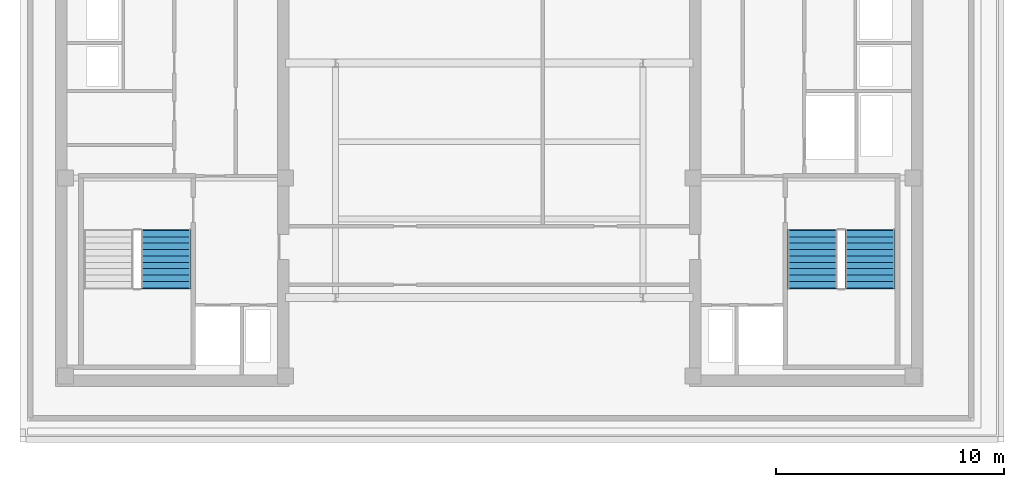
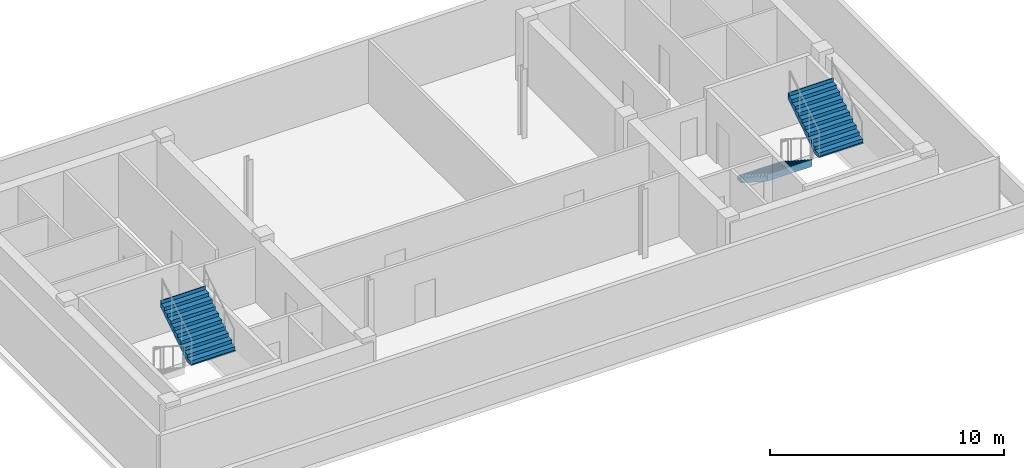
# One storey, part 4 of 5: 3 stair flights, 2 elements without a shape of their own.
"""IFC4 building model written with IfcOpenShell, lengths in metres."""

from ifc_helpers import new_model, si_unit, direction, frame, origin, place, context, subcontext, project, spatial, polyline, outline, extrude, material, layer, layer_set, type_object, element, aggregate, save


model = new_model("IFC4")

# Units and contexts
model_context = context("Model", 3, precision=1e-05, world=origin(), true_north=direction((0.0, 1.0)))
body_context = subcontext(model_context, "Body", "Model", "MODEL_VIEW")
ifc_project = project(units=[si_unit("LENGTHUNIT", "METRE"), si_unit("AREAUNIT", "SQUARE_METRE"), si_unit("VOLUMEUNIT", "CUBIC_METRE"), si_unit("PLANEANGLEUNIT", "RADIAN"), si_unit("MASSUNIT", "GRAM", prefix="KILO")], contexts=[model_context])

# Site, building, storey
site_placement = place(None, origin())
site = spatial("IfcSite", under=ifc_project, at=site_placement, CompositionType="ELEMENT")
building_placement = place(site_placement, origin())
building = spatial("IfcBuilding", under=site, at=building_placement, Name="Velakula Bourse", CompositionType="ELEMENT")
storey_placement = place(building_placement, frame((0.0, 0.0, 301.35009765625)))
storey = spatial("IfcBuildingStorey", under=building, at=storey_placement, Name="L82", CompositionType="ELEMENT", Elevation=301.35009765625)

# Stair, stair flight
ifc_material = material(Name="Concrete M45 (fck 45 MPa)", Category="concrete")
stair_type = type_object("IfcStairType", Name="STR-DOG-390", PredefinedType="HALF_TURN_STAIR", material=ifc_material)
stair_1_placement = place(storey_placement, origin())
stair_1 = element("IfcStair", 1, at=stair_1_placement, inside=storey, type_object=stair_type, Name="L82 West Core Exit Stair ST-W1", PredefinedType="HALF_TURN_STAIR")
ifc_layer = layer(ifc_material, 0.195068359375, Name="Concrete M45 (fck 45 MPa)", Category="concrete")
ifc_layer_set = layer_set([ifc_layer], Name="Concrete M45 (fck 45 MPa)")
stair_flight_type = type_object("IfcStairFlightType", Name="FLT-DOG-390", PredefinedType="STRAIGHT", material=ifc_layer_set)
stair_flight_1_placement = place(storey_placement, frame((-14.198974609375, -4.719970703125, 1.7998046875), z_axis=(0.0, 0.0, 1.0), x_axis=(0.0, 1.0, 0.0)))
stair_flight_1 = element("IfcStairFlight", 2, at=stair_flight_1_placement, type_object=stair_flight_type, Name="ST-W1 flight 2", NumberOfRisers=10, NumberOfTreads=9, PredefinedType="STRAIGHT", RiserHeight=0.18, TreadLength=0.28, context=body_context, shape_type="SweptSolid", body=[
    extrude(outline(polyline([(-0.044921875, -0.0400390625), (-0.044921875, -0.036865234375), (-0.044921875, -0.033935546875), (-0.044921875, -0.03076171875), (-0.044921875, -0.027587890625), (-0.044921875, -0.024658203125), (-0.044921875, -0.021484375), (-0.044921875, -0.0185546875), (-0.044921875, -0.015380859375), (-0.044921875, -0.01220703125), (-0.044921875, -0.00927734375), (-0.044921875, -0.006103515625), (-0.044921875, -0.003173828125), (-0.044921875, 0.0), (0.0, 0.0), (0.0, 0.179931640625), (0.280029296875, 0.179931640625), (0.280029296875, 0.360107421875), (0.56005859375, 0.360107421875), (0.56005859375, 0.5400390625), (0.840087890625, 0.5400390625), (0.840087890625, 0.719970703125), (1.1201171875, 0.719970703125), (1.1201171875, 0.89990234375), (1.39990234375, 0.89990234375), (1.39990234375, 1.080078125), (1.679931640625, 1.080078125), (1.679931640625, 1.260009765625), (1.9599609375, 1.260009765625), (1.9599609375, 1.43994140625), (2.239990234375, 1.43994140625), (2.239990234375, 1.6201171875), (2.52001953125, 1.6201171875), (2.52001953125, 1.800048828125), (2.56494140625, 1.800048828125), (2.56494140625, 1.7744140625), (2.56494140625, 1.748779296875), (2.56494140625, 1.72314453125), (2.56494140625, 1.69775390625), (2.56494140625, 1.672119140625), (2.56494140625, 1.646484375), (2.56494140625, 1.620849609375), (2.56494140625, 1.59521484375), (2.56494140625, 1.56982421875), (2.56494140625, 1.544189453125), (2.56494140625, 1.5185546875), (2.56494140625, 1.492919921875), (2.56494140625, 1.46728515625), (2.56494140625, 1.44189453125), (0.277099609375, -0.0400390625), (-0.044921875, -0.0400390625)])), frame((0.0, 1.09912109375, 0.0), z_axis=(0.0, -1.0, 0.0), x_axis=(1.0, 0.0, 0.0)), (0.0, 0.0, 1.0), 2.197998046875),
])
aggregate(stair_1, [stair_flight_1])

# Stair, stair flights
stair_2_placement = place(storey_placement, origin())
stair_2 = element("IfcStair", 3, at=stair_2_placement, inside=storey, type_object=stair_type, Name="L82 East Core Exit Stair ST-E1", PredefinedType="HALF_TURN_STAIR")
stair_flight_2_placement = place(storey_placement, frame((14.198974609375, -2.199951171875, 0.0), z_axis=(0.0, 0.0, 1.0), x_axis=(0.0, -1.0, 0.0)))
stair_flight_2 = element("IfcStairFlight", 4, at=stair_flight_2_placement, type_object=stair_flight_type, Name="ST-E1 flight 1", NumberOfRisers=10, NumberOfTreads=9, PredefinedType="STRAIGHT", RiserHeight=0.18, TreadLength=0.28, context=body_context, shape_type="SweptSolid", body=[
    extrude(outline(polyline([(-0.044921875, -0.0400390625), (-0.044921875, -0.036865234375), (-0.044921875, -0.033935546875), (-0.044921875, -0.03076171875), (-0.044921875, -0.027587890625), (-0.044921875, -0.024658203125), (-0.044921875, -0.021484375), (-0.044921875, -0.0185546875), (-0.044921875, -0.015380859375), (-0.044921875, -0.01220703125), (-0.044921875, -0.00927734375), (-0.044921875, -0.006103515625), (-0.044921875, -0.003173828125), (-0.044921875, 0.0), (0.0, 0.0), (0.0, 0.179931640625), (0.280029296875, 0.179931640625), (0.280029296875, 0.360107421875), (0.56005859375, 0.360107421875), (0.56005859375, 0.5400390625), (0.840087890625, 0.5400390625), (0.840087890625, 0.719970703125), (1.1201171875, 0.719970703125), (1.1201171875, 0.89990234375), (1.39990234375, 0.89990234375), (1.39990234375, 1.080078125), (1.679931640625, 1.080078125), (1.679931640625, 1.260009765625), (1.9599609375, 1.260009765625), (1.9599609375, 1.43994140625), (2.239990234375, 1.43994140625), (2.239990234375, 1.6201171875), (2.52001953125, 1.6201171875), (2.52001953125, 1.800048828125), (2.56494140625, 1.800048828125), (2.56494140625, 1.7744140625), (2.56494140625, 1.748779296875), (2.56494140625, 1.72314453125), (2.56494140625, 1.69775390625), (2.56494140625, 1.672119140625), (2.56494140625, 1.646484375), (2.56494140625, 1.620849609375), (2.56494140625, 1.59521484375), (2.56494140625, 1.56982421875), (2.56494140625, 1.544189453125), (2.56494140625, 1.5185546875), (2.56494140625, 1.492919921875), (2.56494140625, 1.46728515625), (2.56494140625, 1.44189453125), (0.277099609375, -0.0400390625), (-0.044921875, -0.0400390625)])), frame((0.0, 1.09912109375, 0.0), z_axis=(0.0, -1.0, 0.0), x_axis=(1.0, 0.0, 0.0)), (0.0, 0.0, 1.0), 2.197998046875),
])
stair_flight_3_placement = place(storey_placement, frame((16.720947265625, -4.719970703125, 1.7998046875), z_axis=(0.0, 0.0, 1.0), x_axis=(0.0, 1.0, 0.0)))
stair_flight_3 = element("IfcStairFlight", 5, at=stair_flight_3_placement, type_object=stair_flight_type, Name="ST-E1 flight 2", NumberOfRisers=10, NumberOfTreads=9, PredefinedType="STRAIGHT", RiserHeight=0.18, TreadLength=0.28, context=body_context, shape_type="SweptSolid", body=[
    extrude(outline(polyline([(-0.044921875, -0.0400390625), (-0.044921875, -0.036865234375), (-0.044921875, -0.033935546875), (-0.044921875, -0.03076171875), (-0.044921875, -0.027587890625), (-0.044921875, -0.024658203125), (-0.044921875, -0.021484375), (-0.044921875, -0.0185546875), (-0.044921875, -0.015380859375), (-0.044921875, -0.01220703125), (-0.044921875, -0.00927734375), (-0.044921875, -0.006103515625), (-0.044921875, -0.003173828125), (-0.044921875, 0.0), (0.0, 0.0), (0.0, 0.179931640625), (0.280029296875, 0.179931640625), (0.280029296875, 0.360107421875), (0.56005859375, 0.360107421875), (0.56005859375, 0.5400390625), (0.840087890625, 0.5400390625), (0.840087890625, 0.719970703125), (1.1201171875, 0.719970703125), (1.1201171875, 0.89990234375), (1.39990234375, 0.89990234375), (1.39990234375, 1.080078125), (1.679931640625, 1.080078125), (1.679931640625, 1.260009765625), (1.9599609375, 1.260009765625), (1.9599609375, 1.43994140625), (2.239990234375, 1.43994140625), (2.239990234375, 1.6201171875), (2.52001953125, 1.6201171875), (2.52001953125, 1.800048828125), (2.56494140625, 1.800048828125), (2.56494140625, 1.7744140625), (2.56494140625, 1.748779296875), (2.56494140625, 1.72314453125), (2.56494140625, 1.69775390625), (2.56494140625, 1.672119140625), (2.56494140625, 1.646484375), (2.56494140625, 1.620849609375), (2.56494140625, 1.59521484375), (2.56494140625, 1.56982421875), (2.56494140625, 1.544189453125), (2.56494140625, 1.5185546875), (2.56494140625, 1.492919921875), (2.56494140625, 1.46728515625), (2.56494140625, 1.44189453125), (0.277099609375, -0.0400390625), (-0.044921875, -0.0400390625)])), frame((0.0, 1.09912109375, 0.0), z_axis=(0.0, -1.0, 0.0), x_axis=(1.0, 0.0, 0.0)), (0.0, 0.0, 1.0), 2.197998046875),
])
aggregate(stair_2, [stair_flight_2, stair_flight_3])

save(model, "model.ifc")
